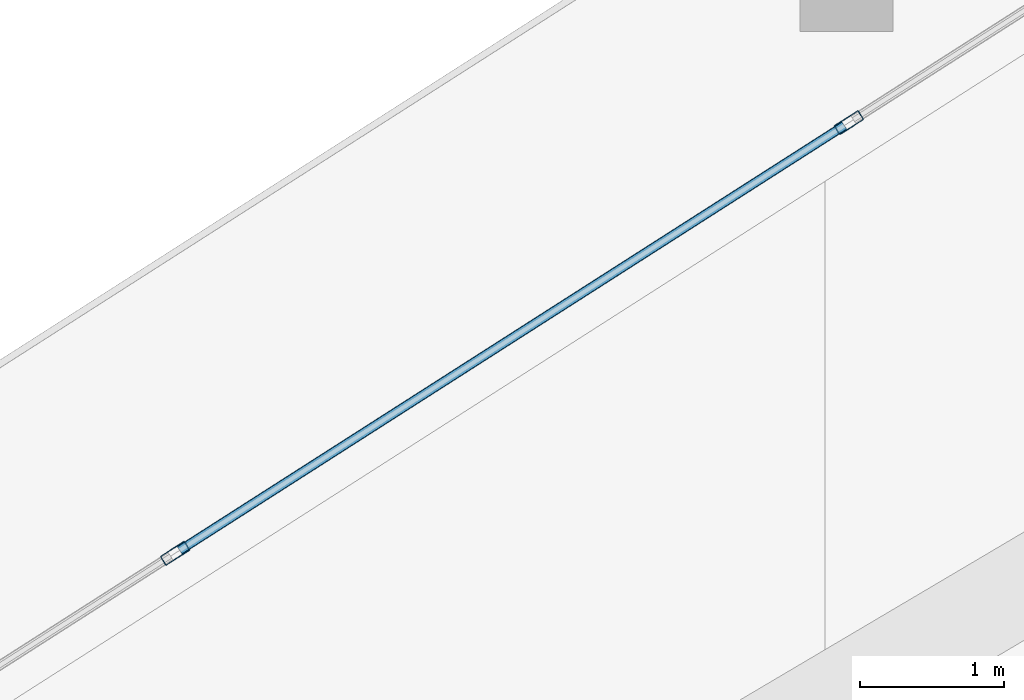
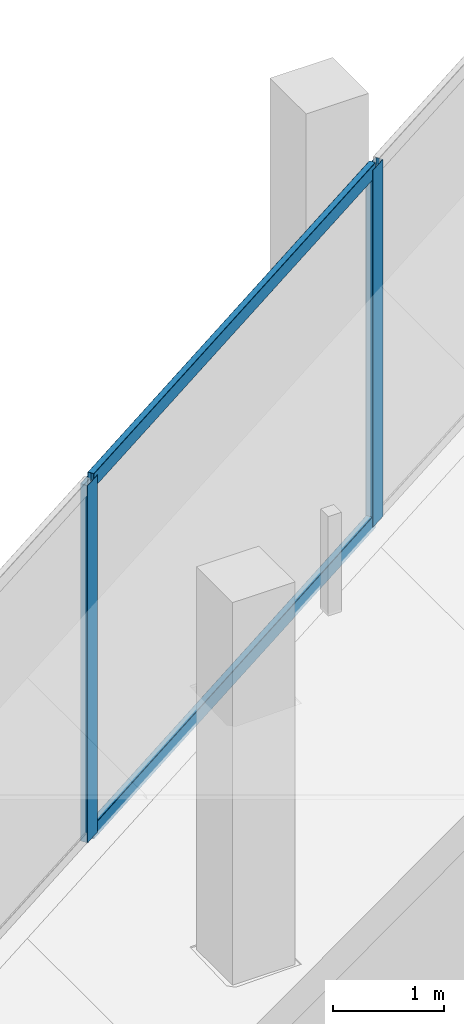
# One storey, part 16 of 47: 4 members, 1 element without a shape of its own.
"""IFC4 building model written with IfcOpenShell, lengths in metres."""

from ifc_helpers import new_model, si_unit, direction, frame, origin, origin_2d, place, context, subcontext, project, spatial, hollow_rectangle, extrude, material, layer, layer_set, material_profile, profile_set, type_object, element, aggregate, save


model = new_model("IFC4")

# Units and contexts
model_context = context("Model", 3, precision=1e-05, world=origin(), true_north=direction((0.0, 1.0)))
body_context = subcontext(model_context, "Body", "Model", "MODEL_VIEW")
ifc_project = project(units=[si_unit("LENGTHUNIT", "METRE"), si_unit("AREAUNIT", "SQUARE_METRE"), si_unit("VOLUMEUNIT", "CUBIC_METRE"), si_unit("PLANEANGLEUNIT", "RADIAN"), si_unit("MASSUNIT", "GRAM", prefix="KILO")], contexts=[model_context])

# Site, building, storey
site_placement = place(None, origin())
site = spatial("IfcSite", under=ifc_project, at=site_placement, CompositionType="ELEMENT")
building_placement = place(site_placement, origin())
building = spatial("IfcBuilding", under=site, at=building_placement, Name="Qorvath Tower", CompositionType="ELEMENT")
storey_placement = place(building_placement, frame((0.0, 0.0, 82.800048828125)))
storey = spatial("IfcBuildingStorey", under=building, at=storey_placement, Name="L18", CompositionType="ELEMENT", Elevation=82.800048828125)

# Curtain wall, members
ifc_material_1 = material(Name="Anodised aluminium and triple low-E glass", Category="aluminium")
ifc_layer = layer(ifc_material_1, 0.179931640625)
ifc_layer_set = layer_set([ifc_layer], Name="CW-SYS-5")
curtain_wall_type = type_object("IfcCurtainWallType", Name="CW-SYS-5", PredefinedType="NOTDEFINED", material=ifc_layer_set)
curtain_wall_placement = place(storey_placement, origin())
curtain_wall = element("IfcCurtainWall", 1, at=curtain_wall_placement, inside=storey, type_object=curtain_wall_type, Name="Curtain Wall CW-5 CW-T-L18-4.2", PredefinedType="NOTDEFINED")
ifc_material_2 = material(Name="Anodised aluminium 6063-T6", Category="aluminium")
ifc_material_profile_1 = material_profile(ifc_material_2, hollow_rectangle(XDim=0.074951171875, YDim=0.199951171875, WallThickness=0.00390625, InnerFilletRadius=0.00390625, OuterFilletRadius=0.008056640625, at=origin_2d()), Name="CWM 200x75")
ifc_profile_set_1 = profile_set([ifc_material_profile_1], Name="Anodised aluminium 6063-T6")
member_type_1 = type_object("IfcMemberType", Name="CWM-200", PredefinedType="MULLION", material=ifc_profile_set_1)
member_1_placement = place(storey_placement, frame((-40.316162109375, 15.995849609375, 0.0), z_axis=(0.0, 0.0, 1.0), x_axis=(0.538532660261, -0.842604636726, 0.0)))
member_1 = element("IfcMember", 2, at=member_1_placement, type_object=member_type_1, Name="CW-5 mullion 2", PredefinedType="MULLION", context=body_context, shape_type="SweptSolid", body=[
    extrude(hollow_rectangle(XDim=0.074951171875, YDim=0.199951171875, WallThickness=0.00390625, InnerFilletRadius=0.00390625, OuterFilletRadius=0.008056640625, at=origin_2d()), origin(), (0.0, 0.0, 1.0), 3.919921875),
])
member_2_placement = place(storey_placement, frame((-45.0107421875, 12.995361328125, 0.0), z_axis=(0.0, 0.0, 1.0), x_axis=(0.538532660261, -0.842604636726, 0.0)))
member_2 = element("IfcMember", 3, at=member_2_placement, type_object=member_type_1, Name="CW-5 mullion 3", PredefinedType="MULLION", context=body_context, shape_type="SweptSolid", body=[
    extrude(hollow_rectangle(XDim=0.074951171875, YDim=0.199951171875, WallThickness=0.00390625, InnerFilletRadius=0.00390625, OuterFilletRadius=0.008056640625, at=origin_2d()), origin(), (0.0, 0.0, 1.0), 3.919921875),
])
ifc_material_3 = material(Name="Anodised aluminium 6063-T6", Category="aluminium")
ifc_material_profile_2 = material_profile(ifc_material_3, hollow_rectangle(XDim=0.06494140625, YDim=0.159912109375, WallThickness=0.00341796875, InnerFilletRadius=0.00341796875, OuterFilletRadius=0.007080078125, at=origin_2d()), Name="CWT 160x65")
ifc_profile_set_2 = profile_set([ifc_material_profile_2], Name="Anodised aluminium 6063-T6")
member_type_2 = type_object("IfcMemberType", Name="CWT-160", PredefinedType="USERDEFINED", material=ifc_profile_set_2)
member_3_placement = place(storey_placement, frame((-40.34765625, 15.9755859375, 0.032470703125), z_axis=(-0.842622922397, -0.538504048872, 0.0), x_axis=(0.538504048872, -0.842622922397, 0.0)))
member_3 = element("IfcMember", 4, at=member_3_placement, type_object=member_type_2, Name="CW-5 transom 2.1", ObjectType="TRANSOM", PredefinedType="USERDEFINED", context=body_context, shape_type="SweptSolid", body=[
    extrude(hollow_rectangle(XDim=0.06494140625, YDim=0.159912109375, WallThickness=0.00341796875, InnerFilletRadius=0.00341796875, OuterFilletRadius=0.007080078125, at=origin_2d()), origin(), (0.0, 0.0, 1.0), 5.49658203125),
])
member_4_placement = place(storey_placement, frame((-40.34765625, 15.9755859375, 3.887451171875), z_axis=(-0.842622922397, -0.538504048872, 0.0), x_axis=(0.538504048872, -0.842622922397, 0.0)))
member_4 = element("IfcMember", 5, at=member_4_placement, type_object=member_type_2, Name="CW-5 transom 2.2", ObjectType="TRANSOM", PredefinedType="USERDEFINED", context=body_context, shape_type="SweptSolid", body=[
    extrude(hollow_rectangle(XDim=0.06494140625, YDim=0.159912109375, WallThickness=0.00341796875, InnerFilletRadius=0.00341796875, OuterFilletRadius=0.007080078125, at=origin_2d()), origin(), (0.0, 0.0, 1.0), 5.49658203125),
])
aggregate(curtain_wall, [member_1, member_2, member_3, member_4])

save(model, "model.ifc")
